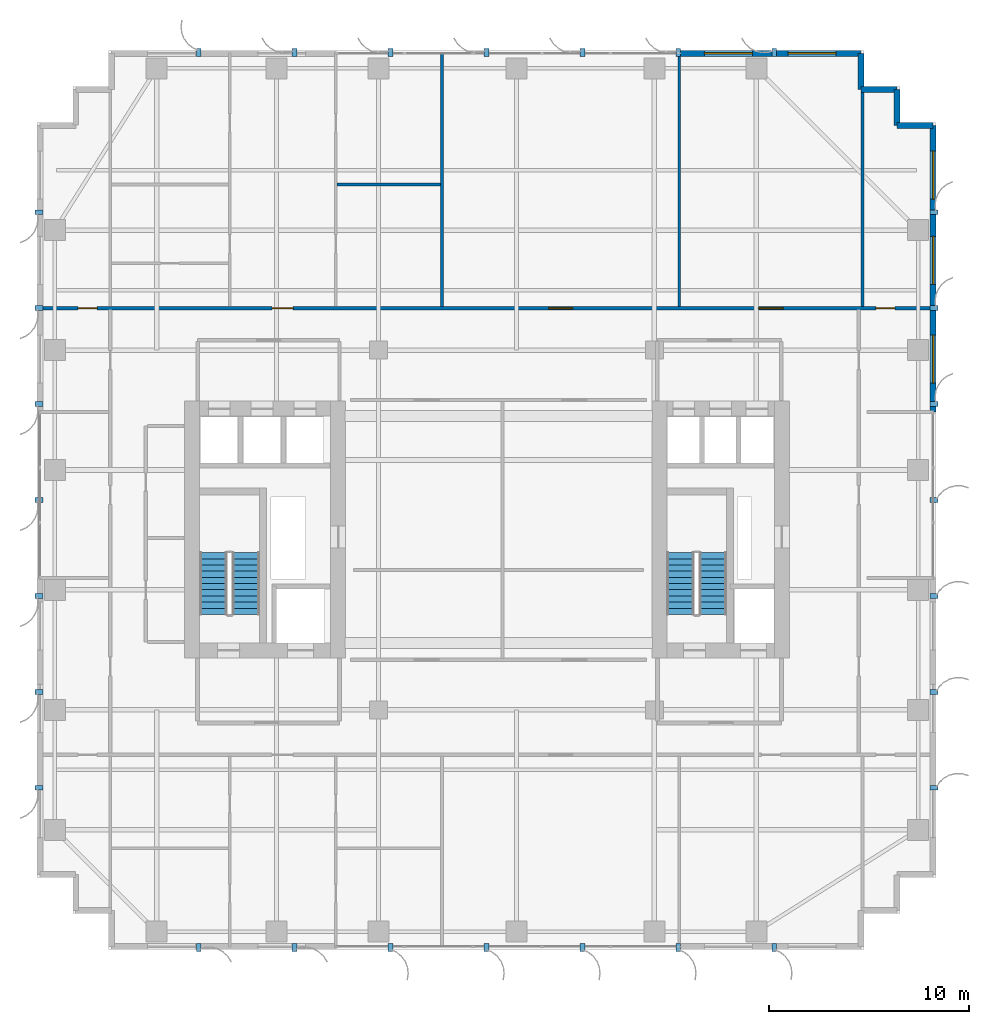
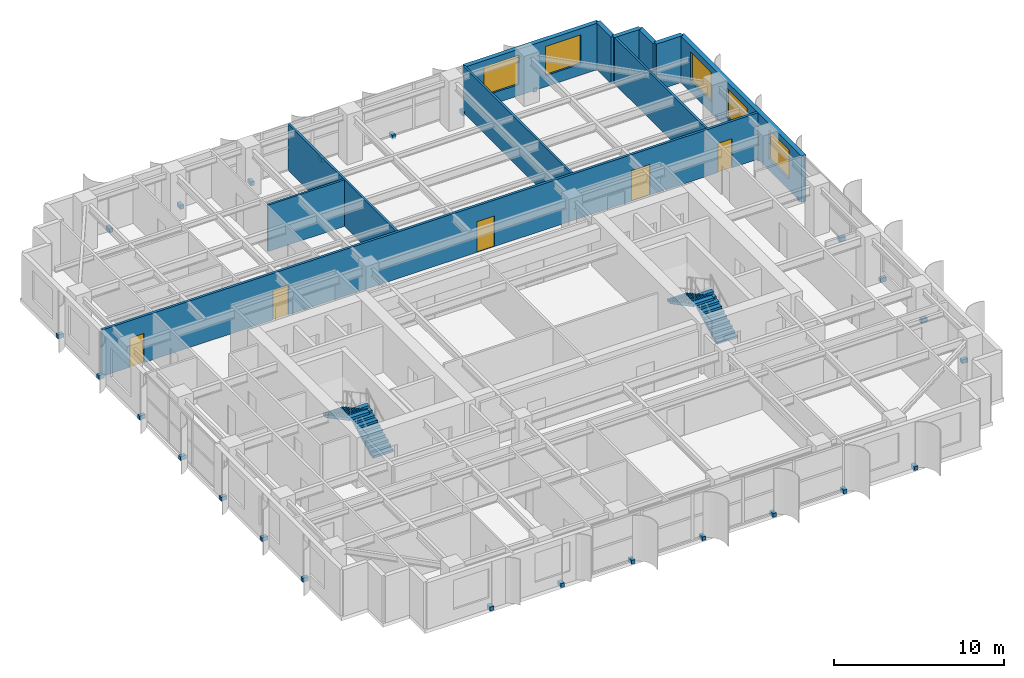
# One storey, part 23 of 26: 28 discrete accessories, 11 walls, 5 doors, 5 windows, 4 stair flights, 10 openings, 2 elements without a shape of their own.
"""IFC4 building model written with IfcOpenShell, lengths in metres."""

import ifcopenshell
import ifcopenshell.guid

model = None  # the IFC model being written
_history = None  # IfcOwnerHistory: only IFC2X3 demands one
_inside = {}  # id of a spatial element -> (the spatial element, [elements in it])
_under = {}  # id of a project, library or spatial element -> (it, [spatial elements below it])
_declared = {}  # id of a project -> (the project, [libraries it declares])
_typed = {}  # id of a type object -> (the type object, [elements of that type])
_made_of = {}  # id of a material, layer set ... -> (it, [elements and type objects made of it])


def new_model(schema):
    """Start an empty IFC model of exactly this schema.

    Asked for "IFC4X3", IfcOpenShell would pick the latest addendum, in which some entities
    have other attributes; the version numbers below select the first issue.
    IFC2X3 requires an IfcOwnerHistory on every rooted entity: one is made here for all.
    """
    global model, _history
    if schema == "IFC4X3":
        model = ifcopenshell.file(schema_version=(4, 3, 0, 0))
    else:
        model = ifcopenshell.file(schema=schema)
    _inside.clear()
    _under.clear()
    _declared.clear()
    _typed.clear()
    _made_of.clear()
    _history = None
    if model.schema == "IFC2X3":
        org = make("IfcOrganization", Name="unknown")
        user = make(
            "IfcPersonAndOrganization",
            ThePerson=make("IfcPerson", FamilyName="unknown"),
            TheOrganization=org,
        )
        app = make(
            "IfcApplication",
            ApplicationDeveloper=org,
            Version="unknown",
            ApplicationFullName="unknown",
            ApplicationIdentifier="unknown",
        )
        _history = make(
            "IfcOwnerHistory",
            OwningUser=user,
            OwningApplication=app,
            ChangeAction="ADDED",
            CreationDate=0,
        )
    return model


def make(cls, **values):
    """One entity of the class cls with the attributes given. An attribute that is None is left unset."""
    return model.create_entity(
        cls, **{name: value for name, value in values.items() if value is not None}
    )


def rooted(cls, **values):
    """An entity with a GlobalId (a new one), such as an element, a storey or a relation."""
    return make(cls, GlobalId=ifcopenshell.guid.new(), OwnerHistory=_history, **values)


def si_unit(unit_type, name, prefix=None):
    """IfcSIUnit, for example si_unit("LENGTHUNIT", "METRE", prefix="MILLI")."""
    return make("IfcSIUnit", UnitType=unit_type, Prefix=prefix, Name=name)


def assignment(units):
    """IfcUnitAssignment: the units of a project."""
    return None if units is None else make("IfcUnitAssignment", Units=units)


def point(xyz):
    """IfcCartesianPoint."""
    return None if xyz is None else make("IfcCartesianPoint", Coordinates=xyz)


def direction(xyz):
    """IfcDirection."""
    return None if xyz is None else make("IfcDirection", DirectionRatios=xyz)


def frame(location, z_axis=None, x_axis=None):
    """IfcAxis2Placement3D, a coordinate frame: its origin and axes. An axis left out is left unset."""
    return make(
        "IfcAxis2Placement3D",
        Location=point(location),
        Axis=direction(z_axis),
        RefDirection=direction(x_axis),
    )


def frame_2d(location, x_axis=None):
    """IfcAxis2Placement2D, a coordinate frame in the plane: its origin and x axis."""
    return make(
        "IfcAxis2Placement2D", Location=point(location), RefDirection=direction(x_axis)
    )


def origin():
    """The frame at (0, 0, 0) with its axes left unset."""
    return frame((0.0, 0.0, 0.0))


def origin_2d():
    """The frame at (0, 0) in the plane with its x axis left unset."""
    return frame_2d((0.0, 0.0))


def place(relative_to, where):
    """IfcLocalPlacement: puts the frame where relative to a parent placement (None: the world)."""
    return make(
        "IfcLocalPlacement", PlacementRelTo=relative_to, RelativePlacement=where
    )


def context(
    kind, dimensions, precision=None, world=None, true_north=None, identifier=None
):
    """IfcGeometricRepresentationContext, for example the 3D "Model" context."""
    return make(
        "IfcGeometricRepresentationContext",
        ContextIdentifier=identifier,
        ContextType=kind,
        CoordinateSpaceDimension=dimensions,
        Precision=precision,
        WorldCoordinateSystem=world,
        TrueNorth=true_north,
    )


def subcontext(parent, identifier, kind, view, scale=None):
    """IfcGeometricRepresentationSubContext, for example "Body" below "Model"."""
    return make(
        "IfcGeometricRepresentationSubContext",
        ContextIdentifier=identifier,
        ContextType=kind,
        ParentContext=parent,
        TargetScale=scale,
        TargetView=view,
    )


def project(units=None, contexts=None):
    """IfcProject with its units and contexts."""
    return rooted(
        "IfcProject",
        Name="project",
        RepresentationContexts=contexts,
        UnitsInContext=assignment(units),
    )


def spatial(cls, under=None, at=None, **own):
    """A site, building, storey or space (cls), placed at a placement, below another one or the project."""
    s = rooted(cls, ObjectPlacement=at, **own)
    if under is not None:
        _under.setdefault(under.id(), (under, []))[1].append(s)
    return s


def polyline(points):
    """IfcPolyline through the points."""
    return make("IfcPolyline", Points=[point(p) for p in points])


def profile(cls, at=None, kind="AREA", **sizes):
    """A parametric profile (cls). Its sizes go by their IFC names, for example OverallWidth=200.0."""
    return make(cls, ProfileType=kind, Position=at, **sizes)


def rectangle(**sizes):
    """IfcRectangleProfileDef."""
    return profile("IfcRectangleProfileDef", **sizes)


def outline(outer, holes=None, kind="AREA"):
    """IfcArbitraryClosedProfileDef: a profile drawn as a closed curve; with holes, ...WithVoids."""
    if holes is None:
        return make("IfcArbitraryClosedProfileDef", ProfileType=kind, OuterCurve=outer)
    return make(
        "IfcArbitraryProfileDefWithVoids",
        ProfileType=kind,
        OuterCurve=outer,
        InnerCurves=holes,
    )


def extrude(swept, where, along, depth):
    """IfcExtrudedAreaSolid: the profile swept, set in the frame where, extruded along a direction by depth."""
    return make(
        "IfcExtrudedAreaSolid",
        SweptArea=swept,
        Position=where,
        ExtrudedDirection=direction(along),
        Depth=depth,
    )


def shape(context_of_items, identifier, shape_type, items):
    """IfcShapeRepresentation: the items that make up one representation, for example the "Body"."""
    return make(
        "IfcShapeRepresentation",
        ContextOfItems=context_of_items,
        RepresentationIdentifier=identifier,
        RepresentationType=shape_type,
        Items=items,
    )


def source(mapping_origin, context_of_items, identifier, shape_type, items):
    """IfcRepresentationMap: a shape defined once, which mapped items show again and again."""
    return make(
        "IfcRepresentationMap",
        MappingOrigin=mapping_origin,
        MappedRepresentation=shape(context_of_items, identifier, shape_type, items),
    )


def transform(
    local_origin,
    x_axis=None,
    y_axis=None,
    z_axis=None,
    scale=None,
    scale2=None,
    scale3=None,
    uniform=True,
):
    """IfcCartesianTransformationOperator3D, or its non-uniform kind. x_axis, y_axis, z_axis: its Axis1, 2, 3."""
    if uniform:
        return make(
            "IfcCartesianTransformationOperator3D",
            Axis1=direction(x_axis),
            Axis2=direction(y_axis),
            LocalOrigin=point(local_origin),
            Scale=scale,
            Axis3=direction(z_axis),
        )
    return make(
        "IfcCartesianTransformationOperator3DnonUniform",
        Axis1=direction(x_axis),
        Axis2=direction(y_axis),
        LocalOrigin=point(local_origin),
        Scale=scale,
        Axis3=direction(z_axis),
        Scale2=scale2,
        Scale3=scale3,
    )


def mapped(mapping_source, mapping_target):
    """IfcMappedItem: shows the shape of a source again, moved by a transform."""
    return make(
        "IfcMappedItem", MappingSource=mapping_source, MappingTarget=mapping_target
    )


def material(Name=None, Category=None):
    """IfcMaterial."""
    return make("IfcMaterial", Name=Name, Category=Category)


def layer(
    of_material, thickness, ventilated=None, Name=None, Category=None, Priority=None
):
    """IfcMaterialLayer: one layer of a wall or slab, of a material (None: an air gap)."""
    return make(
        "IfcMaterialLayer",
        Material=of_material,
        LayerThickness=thickness,
        IsVentilated=ventilated,
        Name=Name,
        Category=Category,
        Priority=Priority,
    )


def layer_set(layers, Name=None):
    """IfcMaterialLayerSet."""
    return make("IfcMaterialLayerSet", MaterialLayers=layers, LayerSetName=Name)


def made_of(thing, what):
    """Note that an element or type object is made of a material, layer set ...; save() writes the relation."""
    if what is not None:
        _made_of.setdefault(what.id(), (what, []))[1].append(thing)
    return thing


def type_object(cls, material=None, **own):
    """A type object (cls), such as IfcWallType, which elements share."""
    return made_of(rooted(cls, **own), material)


def element(
    cls,
    number,
    at=None,
    inside=None,
    cuts=None,
    type_object=None,
    material=None,
    context=None,
    identifier="Body",
    shape_type=None,
    held_by="IfcProductDefinitionShape",
    body=None,
    shapes=None,
    **own,
):
    """One element of the class cls, such as IfcWall. Its Tag is "e" and its number.

    at: its placement. inside: the storey or other place that contains it. cuts: it is an
    opening in that element (IfcRelVoidsElement). A single representation is given by context,
    identifier, shape_type and body (its items); several are given by shapes. held_by: the class
    of the entity that holds the representations. save() writes the other relations.
    """
    e = rooted(cls, Tag="e%d" % number, ObjectPlacement=at, **own)
    if body is not None:
        shapes = [shape(context, identifier, shape_type, body)]
    if shapes is not None:
        e.Representation = make(held_by, Representations=shapes)
    if inside is not None:
        _inside.setdefault(inside.id(), (inside, []))[1].append(e)
    if cuts is not None:
        rooted(
            "IfcRelVoidsElement", RelatingBuildingElement=cuts, RelatedOpeningElement=e
        )
    if type_object is not None:
        _typed.setdefault(type_object.id(), (type_object, []))[1].append(e)
    return made_of(e, material)


def fill(opening, filler):
    """IfcRelFillsElement: the door or window that sits in an opening."""
    return rooted(
        "IfcRelFillsElement",
        RelatingOpeningElement=opening,
        RelatedBuildingElement=filler,
    )


def aggregate(whole, parts):
    """IfcRelAggregates: a whole, such as a stair, and the parts it consists of."""
    return rooted("IfcRelAggregates", RelatingObject=whole, RelatedObjects=parts)


def save(model, path):
    """Write the relations noted so far, then the file.

    IfcRelAggregates (storeys below a building ...), IfcRelContainedInSpatialStructure (elements
    in a storey), IfcRelDefinesByType, IfcRelAssociatesMaterial and IfcRelDeclares: one each for
    every whole, place, type object, material and project.
    """
    for whole, parts in _under.values():
        aggregate(whole, parts)
    for where, things in _inside.values():
        rooted(
            "IfcRelContainedInSpatialStructure",
            RelatedElements=things,
            RelatingStructure=where,
        )
    for kind, things in _typed.values():
        rooted("IfcRelDefinesByType", RelatedObjects=things, RelatingType=kind)
    for what, things in _made_of.values():
        rooted("IfcRelAssociatesMaterial", RelatedObjects=things, RelatingMaterial=what)
    for by, libraries in _declared.values():
        rooted("IfcRelDeclares", RelatingContext=by, RelatedDefinitions=libraries)
    model.write(path)


model = new_model("IFC4")

# Units and contexts
model_context = context("Model", 3, precision=1e-05, world=origin(), true_north=direction((0.0, 1.0)))
body_context = subcontext(model_context, "Body", "Model", "MODEL_VIEW")
ifc_project = project(units=[si_unit("LENGTHUNIT", "METRE"), si_unit("AREAUNIT", "SQUARE_METRE"), si_unit("VOLUMEUNIT", "CUBIC_METRE"), si_unit("PLANEANGLEUNIT", "RADIAN"), si_unit("MASSUNIT", "GRAM", prefix="KILO")], contexts=[model_context])

# Site, building, storey
site_placement = place(None, origin())
site = spatial("IfcSite", under=ifc_project, at=site_placement, CompositionType="ELEMENT")
building_placement = place(site_placement, origin())
building = spatial("IfcBuilding", under=site, at=building_placement, Name="Khoralis Quay Care Tower", CompositionType="ELEMENT")
storey_placement = place(building_placement, frame((0.0, 0.0, 126.89990234375)))
storey = spatial("IfcBuildingStorey", under=building, at=storey_placement, Name="L33", CompositionType="ELEMENT", Elevation=126.89990234375)

# Wall, openings, doors
ifc_material_1 = material(Name="Gypsum plasterboard on acoustic metal stud")
ifc_layer_1 = layer(ifc_material_1, 0.1650390625)
ifc_layer_set_1 = layer_set([ifc_layer_1], Name="Gypsum plasterboard on acoustic metal stud")
wall_type_1 = type_object("IfcWallType", Name="WL-CORR-165", PredefinedType="PARTITIONING", material=ifc_layer_set_1)
wall_1_placement = place(storey_placement, frame((0.14501953125, 32.10009765625, 0.0), z_axis=(0.0, 0.0, 1.0), x_axis=(1.0, 0.0, 0.0)))
wall_1 = element("IfcWall", 1, at=wall_1_placement, inside=storey, type_object=wall_type_1, Name="L33 North Main Corridor Wall", PredefinedType="PARTITIONING", context=body_context, shape_type="SweptSolid", body=[
    extrude(rectangle(XDim=44.7099609375, YDim=0.1650390625, at=frame_2d((22.35498046875, 0.0))), origin(), (0.0, 0.0, 1.0), 3.340087890625),
])
opening_1_placement = place(wall_1_placement, frame((11.636474609375, 0.0, 0.0)))
opening_1 = element("IfcOpeningElement", 2, at=opening_1_placement, cuts=wall_1, Name="Opening UD1", PredefinedType="OPENING", context=body_context, shape_type="SweptSolid", body=[
    extrude(rectangle(XDim=1.050048828125, YDim=2.14990234375, at=frame_2d((0.52490234375, 1.074951171875))), frame((0.0, 0.092529296875, 0.0), z_axis=(0.0, -1.0, 0.0), x_axis=(1.0, 0.0, 0.0)), (0.0, 0.0, 1.0), 0.18505859375),
])
opening_2_placement = place(wall_1_placement, frame((25.465087890625, 0.0, 0.0)))
opening_2 = element("IfcOpeningElement", 3, at=opening_2_placement, cuts=wall_1, Name="Opening FD1", PredefinedType="OPENING", context=body_context, shape_type="SweptSolid", body=[
    extrude(rectangle(XDim=1.199951171875, YDim=2.199951171875, at=frame_2d((0.60009765625, 1.10009765625))), frame((0.0, 0.092529296875, 0.0), z_axis=(0.0, -1.0, 0.0), x_axis=(1.0, 0.0, 0.0)), (0.0, 0.0, 1.0), 0.18505859375),
])
opening_3_placement = place(wall_1_placement, frame((35.965087890625, 0.0, 0.0)))
opening_3 = element("IfcOpeningElement", 4, at=opening_3_placement, cuts=wall_1, Name="Opening CD1", PredefinedType="OPENING", context=body_context, shape_type="SweptSolid", body=[
    extrude(rectangle(XDim=1.25, YDim=2.199951171875, at=frame_2d((0.625, 1.10009765625))), frame((0.0, 0.092529296875, 0.0), z_axis=(0.0, -1.0, 0.0), x_axis=(1.0, 0.0, 0.0)), (0.0, 0.0, 1.0), 0.18505859375),
])
opening_4_placement = place(wall_1_placement, frame((1.919921875, 0.0, 0.0)))
opening_4 = element("IfcOpeningElement", 5, at=opening_4_placement, cuts=wall_1, Name="Opening ID1", PredefinedType="OPENING", context=body_context, shape_type="SweptSolid", body=[
    extrude(rectangle(XDim=0.949951171875, YDim=2.10009765625, at=frame_2d((0.47509765625, 1.050048828125))), frame((0.0, 0.092529296875, 0.0), z_axis=(0.0, -1.0, 0.0), x_axis=(1.0, 0.0, 0.0)), (0.0, 0.0, 1.0), 0.18505859375),
])
opening_5_placement = place(wall_1_placement, frame((41.840087890625, 0.0, 0.0)))
opening_5 = element("IfcOpeningElement", 6, at=opening_5_placement, cuts=wall_1, Name="Opening ID1", PredefinedType="OPENING", context=body_context, shape_type="SweptSolid", body=[
    extrude(rectangle(XDim=0.949951171875, YDim=2.10009765625, at=frame_2d((0.47509765625, 1.050048828125))), frame((0.0, 0.092529296875, 0.0), z_axis=(0.0, -1.0, 0.0), x_axis=(1.0, 0.0, 0.0)), (0.0, 0.0, 1.0), 0.18505859375),
])
ifc_material_2 = material(Name="Fire-rated painted steel", Category="steel")
door_type_1 = type_object("IfcDoorType", Name="DR-FFL-1200X2200", OperationType="NOTDEFINED", PredefinedType="DOOR", material=ifc_material_2)
shared_shape_1 = source(origin(), body_context, "Body", "SweptSolid", [
    extrude(rectangle(XDim=1.199951171875, YDim=2.199951171875, at=frame_2d((0.60009765625, 1.10009765625))), frame((0.0, 0.02490234375, 0.0), z_axis=(0.0, -1.0, 0.0), x_axis=(1.0, 0.0, 0.0)), (0.0, 0.0, 1.0), 0.050048828125),
])
door_1_placement = place(opening_2_placement, origin())
door_1 = element("IfcDoor", 7, at=door_1_placement, inside=storey, type_object=door_type_1, Name="L33 Assisted Communal Dining Room Door", OperationType="DOUBLE_DOOR_SINGLE_SWING", OverallHeight=2.199951171875, OverallWidth=1.199951171875, PredefinedType="DOOR", context=body_context, shape_type="MappedRepresentation", body=[
    mapped(shared_shape_1, transform((0.0, 0.0, 0.0), scale=1.0)),
])
fill(opening_2, door_1)
ifc_material_3 = material(Name="Acoustic hardwood timber", Category="wood")
door_type_2 = type_object("IfcDoorType", Name="DR-CARE-1250X2200", OperationType="NOTDEFINED", PredefinedType="DOOR", material=ifc_material_3)
shared_shape_2 = source(origin(), body_context, "Body", "SweptSolid", [
    extrude(rectangle(XDim=1.25, YDim=2.199951171875, at=frame_2d((0.625, 1.10009765625))), frame((0.0, 0.02490234375, 0.0), z_axis=(0.0, -1.0, 0.0), x_axis=(1.0, 0.0, 0.0)), (0.0, 0.0, 1.0), 0.050048828125),
])
door_2_placement = place(opening_3_placement, origin())
door_2 = element("IfcDoor", 8, at=door_2_placement, inside=storey, type_object=door_type_2, Name="L33 Physiotherapy Treatment Clinic Door", OperationType="SINGLE_SWING_LEFT", OverallHeight=2.199951171875, OverallWidth=1.25, PredefinedType="DOOR", context=body_context, shape_type="MappedRepresentation", body=[
    mapped(shared_shape_2, transform((0.0, 0.0, 0.0), scale=1.0)),
])
fill(opening_3, door_2)
door_type_3 = type_object("IfcDoorType", Name="DR-ROOM-950X2100", OperationType="NOTDEFINED", PredefinedType="DOOR", material=ifc_material_3)
shared_shape_3 = source(origin(), body_context, "Body", "SweptSolid", [
    extrude(rectangle(XDim=0.949951171875, YDim=2.10009765625, at=frame_2d((0.47509765625, 1.050048828125))), frame((0.0, 0.02490234375, 0.0), z_axis=(0.0, -1.0, 0.0), x_axis=(1.0, 0.0, 0.0)), (0.0, 0.0, 1.0), 0.050048828125),
])
door_3_placement = place(opening_4_placement, origin())
door_3 = element("IfcDoor", 9, at=door_3_placement, inside=storey, type_object=door_type_3, Name="L33 NW Corner Door", OperationType="SINGLE_SWING_RIGHT", OverallHeight=2.10009765625, OverallWidth=0.949951171875, PredefinedType="DOOR", context=body_context, shape_type="MappedRepresentation", body=[
    mapped(shared_shape_3, transform((0.0, 0.0, 0.0), scale=1.0)),
])
fill(opening_4, door_3)
door_4_placement = place(opening_5_placement, origin())
door_4 = element("IfcDoor", 10, at=door_4_placement, inside=storey, type_object=door_type_3, Name="L33 NE Corner Door", OperationType="SINGLE_SWING_LEFT", OverallHeight=2.10009765625, OverallWidth=0.949951171875, PredefinedType="DOOR", context=body_context, shape_type="MappedRepresentation", body=[
    mapped(shared_shape_3, transform((0.0, 0.0, 0.0), scale=1.0)),
])
fill(opening_5, door_4)
door_type_4 = type_object("IfcDoorType", Name="DR-SUITE-1050X2150", OperationType="NOTDEFINED", PredefinedType="DOOR", material=ifc_material_3)
shared_shape_4 = source(origin(), body_context, "Body", "SweptSolid", [
    extrude(rectangle(XDim=1.050048828125, YDim=2.14990234375, at=frame_2d((0.52490234375, 1.074951171875))), frame((0.0, 0.02490234375, 0.0), z_axis=(0.0, -1.0, 0.0), x_axis=(1.0, 0.0, 0.0)), (0.0, 0.0, 1.0), 0.050048828125),
])
door_5_placement = place(opening_1_placement, origin())
door_5 = element("IfcDoor", 11, at=door_5_placement, inside=storey, type_object=door_type_4, Name="L33 2BR NB0 Entrance", OperationType="SINGLE_SWING_LEFT", OverallHeight=2.14990234375, OverallWidth=1.050048828125, PredefinedType="DOOR", context=body_context, shape_type="MappedRepresentation", body=[
    mapped(shared_shape_4, transform((0.0, 0.0, 0.0), scale=1.0)),
])
fill(opening_1, door_5)

# Wall, openings, windows
ifc_material_4 = material(Name="Precast concrete C45/55", Category="concrete")
ifc_layer_2 = layer(ifc_material_4, 0.300048828125)
ifc_layer_set_2 = layer_set([ifc_layer_2], Name="Precast concrete C45/55")
wall_type_2 = type_object("IfcWallType", Name="WL-EXT-REF-300", PredefinedType="SOLIDWALL", material=ifc_layer_set_2)
wall_2_placement = place(storey_placement, frame((44.85009765625, 26.89990234375, 0.0), z_axis=(0.0, 0.0, 1.0), x_axis=(0.0, 1.0, 0.0)))
wall_2 = element("IfcWall", 12, at=wall_2_placement, inside=storey, type_object=wall_type_2, Name="L33 External Facade Wall WL-EXT-L33-P1-E5B", PredefinedType="SOLIDWALL", context=body_context, shape_type="SweptSolid", body=[
    extrude(rectangle(XDim=14.35009765625, YDim=0.300048828125, at=frame_2d((7.175048828125, 0.0))), origin(), (0.0, 0.0, 1.0), 3.340087890625),
])
opening_6_placement = place(wall_2_placement, frame((1.449951171875, 0.0, 0.800048828125)))
opening_6 = element("IfcOpeningElement", 13, at=opening_6_placement, cuts=wall_2, Name="Opening W1", PredefinedType="OPENING", context=body_context, shape_type="SweptSolid", body=[
    extrude(rectangle(XDim=2.39990234375, YDim=2.10009765625, at=frame_2d((1.199951171875, 1.050048828125))), frame((0.0, 0.16015625, 0.0), z_axis=(0.0, -1.0, 0.0), x_axis=(1.0, 0.0, 0.0)), (0.0, 0.0, 1.0), 0.320068359375),
])
opening_7_placement = place(wall_2_placement, frame((6.392578125, 0.0, 0.800048828125)))
opening_7 = element("IfcOpeningElement", 14, at=opening_7_placement, cuts=wall_2, Name="Opening W1", PredefinedType="OPENING", context=body_context, shape_type="SweptSolid", body=[
    extrude(rectangle(XDim=2.39990234375, YDim=2.10009765625, at=frame_2d((1.199951171875, 1.050048828125))), frame((0.0, 0.16015625, 0.0), z_axis=(0.0, -1.0, 0.0), x_axis=(1.0, 0.0, 0.0)), (0.0, 0.0, 1.0), 0.320068359375),
])
opening_8_placement = place(wall_2_placement, frame((10.657470703125, 0.0, 0.800048828125)))
opening_8 = element("IfcOpeningElement", 15, at=opening_8_placement, cuts=wall_2, Name="Opening W1", PredefinedType="OPENING", context=body_context, shape_type="SweptSolid", body=[
    extrude(rectangle(XDim=2.39990234375, YDim=2.10009765625, at=frame_2d((1.199951171875, 1.050048828125))), frame((0.0, 0.16015625, 0.0), z_axis=(0.0, -1.0, 0.0), x_axis=(1.0, 0.0, 0.0)), (0.0, 0.0, 1.0), 0.320068359375),
])
ifc_material_5 = material(Name="Low-E solar-control double glazing", Category="glass")
window_type = type_object("IfcWindowType", Name="WN-POD-2400X2100", PartitioningType="SINGLE_PANEL", PredefinedType="WINDOW", material=ifc_material_5)
shared_shape_5 = source(origin(), body_context, "Body", "SweptSolid", [
    extrude(rectangle(XDim=2.39990234375, YDim=2.10009765625, at=frame_2d((1.199951171875, 1.050048828125))), frame((0.0, 0.030029296875, 0.0), z_axis=(0.0, -1.0, 0.0), x_axis=(1.0, 0.0, 0.0)), (0.0, 0.0, 1.0), 0.06005859375),
])
window_1_placement = place(opening_6_placement, origin())
window_1 = element("IfcWindow", 16, at=window_1_placement, inside=storey, type_object=window_type, Name="WN-L33-P1-E5B Facade Window 01", OverallHeight=2.10009765625, OverallWidth=2.39990234375, PartitioningType="SINGLE_PANEL", PredefinedType="WINDOW", context=body_context, shape_type="MappedRepresentation", body=[
    mapped(shared_shape_5, transform((0.0, 0.0, 0.0), scale=1.0)),
])
fill(opening_6, window_1)
window_2_placement = place(opening_7_placement, origin())
window_2 = element("IfcWindow", 17, at=window_2_placement, inside=storey, type_object=window_type, Name="WN-L33-P1-E5B Facade Window 02", OverallHeight=2.10009765625, OverallWidth=2.39990234375, PartitioningType="SINGLE_PANEL", PredefinedType="WINDOW", context=body_context, shape_type="MappedRepresentation", body=[
    mapped(shared_shape_5, transform((0.0, 0.0, 0.0), scale=1.0)),
])
fill(opening_7, window_2)
window_3_placement = place(opening_8_placement, origin())
window_3 = element("IfcWindow", 18, at=window_3_placement, inside=storey, type_object=window_type, Name="WN-L33-P1-E5B Facade Window 03", OverallHeight=2.10009765625, OverallWidth=2.39990234375, PartitioningType="SINGLE_PANEL", PredefinedType="WINDOW", context=body_context, shape_type="MappedRepresentation", body=[
    mapped(shared_shape_5, transform((0.0, 0.0, 0.0), scale=1.0)),
])
fill(opening_8, window_3)

# Walls
for number, where, z_axis, x_axis, name in (
    (19, (44.85009765625, 41.25, 0.0), (0.0, 0.0, 1.0), (-1.0, 0.0, 0.0), "L33 External Facade Wall WL-EXT-L33-P1-C6"),
    (20, (43.050048828125, 41.25, 0.0), (0.0, 0.0, 1.0), (0.0, 1.0, 0.0), "L33 External Facade Wall WL-EXT-L33-P1-C7"),
    (21, (43.050048828125, 43.050048828125, 0.0), (0.0, 0.0, 1.0), (-1.0, 0.0, 0.0), "L33 External Facade Wall WL-EXT-L33-P1-C8"),
    (22, (41.25, 43.050048828125, 0.0), (0.0, 0.0, 1.0), (0.0, 1.0, 0.0), "L33 External Facade Wall WL-EXT-L33-P1-C9"),
):
    element("IfcWall", number, at=place(storey_placement, frame(where, z_axis=z_axis, x_axis=x_axis)), inside=storey, type_object=wall_type_2, Name=name, PredefinedType="SOLIDWALL", context=body_context, shape_type="SweptSolid", body=[
        extrude(rectangle(XDim=1.800048828125, YDim=0.300048828125, at=frame_2d((0.89990234375, 0.0))), origin(), (0.0, 0.0, 1.0), 3.340087890625),
    ])

# Wall, openings, windows
wall_3_placement = place(storey_placement, frame((41.25, 44.85009765625, 0.0), z_axis=(0.0, 0.0, 1.0), x_axis=(-1.0, 0.0, 0.0)))
wall_3 = element("IfcWall", 23, at=wall_3_placement, inside=storey, type_object=wall_type_2, Name="L33 External Facade Wall WL-EXT-L33-P1-E10A", PredefinedType="SOLIDWALL", context=body_context, shape_type="SweptSolid", body=[
    extrude(rectangle(XDim=9.10009765625, YDim=0.300048828125, at=frame_2d((4.550048828125, 0.0))), origin(), (0.0, 0.0, 1.0), 3.340087890625),
])
opening_9_placement = place(wall_3_placement, frame((1.2548828125, 0.0, 0.800048828125)))
opening_9 = element("IfcOpeningElement", 24, at=opening_9_placement, cuts=wall_3, Name="Opening W1", PredefinedType="OPENING", context=body_context, shape_type="SweptSolid", body=[
    extrude(rectangle(XDim=2.39990234375, YDim=2.10009765625, at=frame_2d((1.199951171875, 1.050048828125))), frame((0.0, 0.16015625, 0.0), z_axis=(0.0, -1.0, 0.0), x_axis=(1.0, 0.0, 0.0)), (0.0, 0.0, 1.0), 0.320068359375),
])
opening_10_placement = place(wall_3_placement, frame((5.445068359375, 0.0, 0.800048828125)))
opening_10 = element("IfcOpeningElement", 25, at=opening_10_placement, cuts=wall_3, Name="Opening W1", PredefinedType="OPENING", context=body_context, shape_type="SweptSolid", body=[
    extrude(rectangle(XDim=2.39990234375, YDim=2.10009765625, at=frame_2d((1.199951171875, 1.050048828125))), frame((0.0, 0.16015625, 0.0), z_axis=(0.0, -1.0, 0.0), x_axis=(1.0, 0.0, 0.0)), (0.0, 0.0, 1.0), 0.320068359375),
])
window_4_placement = place(opening_9_placement, origin())
window_4 = element("IfcWindow", 26, at=window_4_placement, inside=storey, type_object=window_type, Name="WN-L33-P1-E10A Facade Window 01", OverallHeight=2.10009765625, OverallWidth=2.39990234375, PartitioningType="SINGLE_PANEL", PredefinedType="WINDOW", context=body_context, shape_type="MappedRepresentation", body=[
    mapped(shared_shape_5, transform((0.0, 0.0, 0.0), scale=1.0)),
])
fill(opening_9, window_4)
window_5_placement = place(opening_10_placement, origin())
window_5 = element("IfcWindow", 27, at=window_5_placement, inside=storey, type_object=window_type, Name="WN-L33-P1-E10A Facade Window 02", OverallHeight=2.10009765625, OverallWidth=2.39990234375, PartitioningType="SINGLE_PANEL", PredefinedType="WINDOW", context=body_context, shape_type="MappedRepresentation", body=[
    mapped(shared_shape_5, transform((0.0, 0.0, 0.0), scale=1.0)),
])
fill(opening_10, window_5)

# Walls
ifc_material_6 = material(Name="Moisture-resistant gypsum and ceramic tile")
ifc_layer_3 = layer(ifc_material_6, 0.280029296875)
ifc_layer_set_3 = layer_set([ifc_layer_3], Name="Moisture-resistant gypsum and ceramic tile")
wall_type_3 = type_object("IfcWallType", Name="WL-PLUMB-280", PredefinedType="PLUMBINGWALL", material=ifc_layer_set_3)
wall_4_placement = place(storey_placement, frame((15.013427734375, 38.2919921875, 0.0), z_axis=(0.0, 0.0, 1.0), x_axis=(1.0, 0.0, 0.0)))
element("IfcWall", 28, at=wall_4_placement, inside=storey, type_object=wall_type_3, Name="L33 2BR 0 Right Split", PredefinedType="PLUMBINGWALL", context=body_context, shape_type="SweptSolid", body=[
    extrude(rectangle(XDim=5.191650390625, YDim=0.139892578125, at=frame_2d((2.595703125, 0.0))), origin(), (0.0, 0.0, 1.0), 3.340087890625),
])
ifc_layer_4 = layer(ifc_material_1, 0.139892578125)
ifc_layer_set_4 = layer_set([ifc_layer_4], Name="Gypsum plasterboard on acoustic metal stud")
wall_type_4 = type_object("IfcWallType", Name="WL-UNIT-140", PredefinedType="PARTITIONING", material=ifc_layer_set_4)
for number, where, z_axis, x_axis, name in (
    (29, (20.27001953125, 32.177490234375, 0.0), (0.0, 0.0, 1.0), (0.0, 1.0, 0.0), "L33 NB Demising Wall 1"),
    (30, (32.14990234375, 32.177490234375, 0.0), (0.0, 0.0, 1.0), (0.0, 1.0, 0.0), "L33 NB Demising Wall 2"),
):
    element("IfcWall", number, at=place(storey_placement, frame(where, z_axis=z_axis, x_axis=x_axis)), inside=storey, type_object=wall_type_4, Name=name, PredefinedType="PARTITIONING", context=body_context, shape_type="SweptSolid", body=[
        extrude(rectangle(XDim=12.677490234375, YDim=0.139892578125, at=frame_2d((6.3388671875, 0.0))), origin(), (0.0, 0.0, 1.0), 3.340087890625),
    ])
wall_5_placement = place(storey_placement, frame((41.320068359375, 32.177490234375, 0.0), z_axis=(0.0, 0.0, 1.0), x_axis=(0.0, 1.0, 0.0)))
element("IfcWall", 31, at=wall_5_placement, inside=storey, type_object=wall_type_4, Name="L33 NB Demising Wall 3", PredefinedType="PARTITIONING", context=body_context, shape_type="SweptSolid", body=[
    extrude(rectangle(XDim=10.87744140625, YDim=0.139892578125, at=frame_2d((5.438720703125, 0.0))), origin(), (0.0, 0.0, 1.0), 3.340087890625),
])

# Stair, stair flights
stair_type = type_object("IfcStairType", Name="ST-TWR-DOGLEG-1400", PredefinedType="HALF_TURN_STAIR", material=ifc_material_4)
stair_1_placement = place(storey_placement, origin())
stair_1 = element("IfcStair", 32, at=stair_1_placement, inside=storey, type_object=stair_type, Name="L33 West Core Exit Stair ST-T1", PredefinedType="HALF_TURN_STAIR")
stair_flight_type = type_object("IfcStairFlightType", Name="SF-TWR-1400", PredefinedType="STRAIGHT", material=ifc_material_4)
shared_shape_6 = source(origin(), body_context, "Body", "SweptSolid", [
    extrude(outline(polyline([(0.0, 0.0), (0.0, 0.16357421875), (0.31005859375, 0.16357421875), (0.31005859375, 0.327392578125), (0.6201171875, 0.327392578125), (0.6201171875, 0.490966796875), (0.929931640625, 0.490966796875), (0.929931640625, 0.654541015625), (1.239990234375, 0.654541015625), (1.239990234375, 0.818115234375), (1.550048828125, 0.818115234375), (1.550048828125, 0.98193359375), (1.860107421875, 0.98193359375), (1.860107421875, 1.1455078125), (2.169921875, 1.1455078125), (2.169921875, 1.30908203125), (2.47998046875, 1.30908203125), (2.47998046875, 1.47265625), (2.7900390625, 1.47265625), (2.7900390625, 1.636474609375), (3.10009765625, 1.636474609375), (3.10009765625, 1.800048828125), (3.10009765625, 1.466796875), (0.321044921875, 0.0), (0.0, 0.0)])), frame((0.0, 0.68994140625, 0.0), z_axis=(0.0, -1.0, 0.0), x_axis=(1.0, 0.0, 0.0)), (0.0, 0.0, 1.0), 1.3798828125),
])
stair_flight_1_placement = place(storey_placement, frame((10.4599609375, 16.77001953125, 0.0), z_axis=(0.0, 0.0, 1.0), x_axis=(0.0, 1.0, 0.0)))
stair_flight_1 = element("IfcStairFlight", 33, at=stair_flight_1_placement, type_object=stair_flight_type, Name="ST-T1 flight 1", NumberOfRisers=11, NumberOfTreads=10, PredefinedType="STRAIGHT", RiserHeight=0.163636364, TreadLength=0.31, context=body_context, shape_type="MappedRepresentation", body=[
    mapped(shared_shape_6, transform((0.0, 0.0, 0.0), scale=1.0)),
])
stair_flight_2_placement = place(storey_placement, frame((8.840087890625, 19.8701171875, 1.800048828125), z_axis=(0.0, 0.0, 1.0), x_axis=(0.0, -1.0, 0.0)))
stair_flight_2 = element("IfcStairFlight", 34, at=stair_flight_2_placement, type_object=stair_flight_type, Name="ST-T1 flight 2", NumberOfRisers=11, NumberOfTreads=10, PredefinedType="STRAIGHT", RiserHeight=0.163636364, TreadLength=0.31, context=body_context, shape_type="MappedRepresentation", body=[
    mapped(shared_shape_6, transform((0.0, 0.0, 0.0), scale=1.0)),
])
aggregate(stair_1, [stair_flight_1, stair_flight_2])

stair_2_placement = place(storey_placement, origin())
stair_2 = element("IfcStair", 35, at=stair_2_placement, inside=storey, type_object=stair_type, Name="L33 East Core Exit Stair ST-T2", PredefinedType="HALF_TURN_STAIR")
stair_flight_3_placement = place(storey_placement, frame((33.830078125, 16.77001953125, 0.0), z_axis=(0.0, 0.0, 1.0), x_axis=(0.0, 1.0, 0.0)))
stair_flight_3 = element("IfcStairFlight", 36, at=stair_flight_3_placement, type_object=stair_flight_type, Name="ST-T2 flight 1", NumberOfRisers=11, NumberOfTreads=10, PredefinedType="STRAIGHT", RiserHeight=0.163636364, TreadLength=0.31, context=body_context, shape_type="MappedRepresentation", body=[
    mapped(shared_shape_6, transform((0.0, 0.0, 0.0), scale=1.0)),
])
stair_flight_4_placement = place(storey_placement, frame((32.2099609375, 19.8701171875, 1.800048828125), z_axis=(0.0, 0.0, 1.0), x_axis=(0.0, -1.0, 0.0)))
stair_flight_4 = element("IfcStairFlight", 37, at=stair_flight_4_placement, type_object=stair_flight_type, Name="ST-T2 flight 2", NumberOfRisers=11, NumberOfTreads=10, PredefinedType="STRAIGHT", RiserHeight=0.163636364, TreadLength=0.31, context=body_context, shape_type="MappedRepresentation", body=[
    mapped(shared_shape_6, transform((0.0, 0.0, 0.0), scale=1.0)),
])
aggregate(stair_2, [stair_flight_3, stair_flight_4])

# Discrete accessories
ifc_material_7 = material(Name="Brushed stainless steel", Category="steel")
discrete_accessory_type = type_object("IfcDiscreteAccessoryType", Name="ACC-FIN-BRACKET", PredefinedType="BRACKET", material=ifc_material_7)
shared_shape_7 = source(origin(), body_context, "Body", "SweptSolid", [
    extrude(rectangle(XDim=0.39990234375, YDim=0.239990234375, at=origin_2d()), origin(), (0.0, 0.0, 1.0), 0.280029296875),
])
for number, where, z_axis, x_axis, name in (
    (38, (8.10009765625, 0.110107421875, -0.1201171875), (0.0, 0.0, 1.0), (0.0, -1.0, 0.0), "L33 Solar Fin Bracket P1E0-01"),
    (39, (12.89990234375, 0.110107421875, -0.1201171875), (0.0, 0.0, 1.0), (0.0, -1.0, 0.0), "L33 Solar Fin Bracket P1E0-02"),
    (40, (17.699951171875, 0.110107421875, -0.1201171875), (0.0, 0.0, 1.0), (0.0, -1.0, 0.0), "L33 Solar Fin Bracket P1E0-03"),
    (41, (22.5, 0.110107421875, -0.1201171875), (0.0, 0.0, 1.0), (0.0, -1.0, 0.0), "L33 Solar Fin Bracket P1E0-04"),
    (42, (27.300048828125, 0.110107421875, -0.1201171875), (0.0, 0.0, 1.0), (0.0, -1.0, 0.0), "L33 Solar Fin Bracket P1E0-05"),
    (43, (32.10009765625, 0.110107421875, -0.1201171875), (0.0, 0.0, 1.0), (0.0, -1.0, 0.0), "L33 Solar Fin Bracket P1E0-06"),
    (44, (36.89990234375, 0.110107421875, -0.1201171875), (0.0, 0.0, 1.0), (0.0, -1.0, 0.0), "L33 Solar Fin Bracket P1E0-07"),
    (45, (44.889892578125, 8.10009765625, -0.1201171875), (0.0, 0.0, 1.0), (1.0, 0.0, 0.0), "L33 Solar Fin Bracket P1E5-01"),
    (46, (44.889892578125, 12.89990234375, -0.1201171875), (0.0, 0.0, 1.0), (1.0, 0.0, 0.0), "L33 Solar Fin Bracket P1E5-02"),
    (47, (44.889892578125, 17.699951171875, -0.1201171875), (0.0, 0.0, 1.0), (1.0, 0.0, 0.0), "L33 Solar Fin Bracket P1E5-03"),
    (48, (44.889892578125, 22.5, -0.1201171875), (0.0, 0.0, 1.0), (1.0, 0.0, 0.0), "L33 Solar Fin Bracket P1E5-04"),
    (49, (44.889892578125, 27.300048828125, -0.1201171875), (0.0, 0.0, 1.0), (1.0, 0.0, 0.0), "L33 Solar Fin Bracket P1E5-05"),
    (50, (44.889892578125, 32.10009765625, -0.1201171875), (0.0, 0.0, 1.0), (1.0, 0.0, 0.0), "L33 Solar Fin Bracket P1E5-06"),
    (51, (44.889892578125, 36.89990234375, -0.1201171875), (0.0, 0.0, 1.0), (1.0, 0.0, 0.0), "L33 Solar Fin Bracket P1E5-07"),
    (52, (36.89990234375, 44.889892578125, -0.1201171875), (0.0, 0.0, 1.0), (0.0, 1.0, 0.0), "L33 Solar Fin Bracket P1E10-01"),
    (53, (32.10009765625, 44.889892578125, -0.1201171875), (0.0, 0.0, 1.0), (0.0, 1.0, 0.0), "L33 Solar Fin Bracket P1E10-02"),
    (54, (27.300048828125, 44.889892578125, -0.1201171875), (0.0, 0.0, 1.0), (0.0, 1.0, 0.0), "L33 Solar Fin Bracket P1E10-03"),
    (55, (22.5, 44.889892578125, -0.1201171875), (0.0, 0.0, 1.0), (0.0, 1.0, 0.0), "L33 Solar Fin Bracket P1E10-04"),
    (56, (17.699951171875, 44.889892578125, -0.1201171875), (0.0, 0.0, 1.0), (0.0, 1.0, 0.0), "L33 Solar Fin Bracket P1E10-05"),
    (57, (12.89990234375, 44.889892578125, -0.1201171875), (0.0, 0.0, 1.0), (0.0, 1.0, 0.0), "L33 Solar Fin Bracket P1E10-06"),
    (58, (8.10009765625, 44.889892578125, -0.1201171875), (0.0, 0.0, 1.0), (0.0, 1.0, 0.0), "L33 Solar Fin Bracket P1E10-07"),
    (59, (0.110107421875, 36.89990234375, -0.1201171875), (0.0, 0.0, 1.0), (-1.0, 0.0, 0.0), "L33 Solar Fin Bracket P1E15-01"),
    (60, (0.110107421875, 32.10009765625, -0.1201171875), (0.0, 0.0, 1.0), (-1.0, 0.0, 0.0), "L33 Solar Fin Bracket P1E15-02"),
    (61, (0.110107421875, 27.300048828125, -0.1201171875), (0.0, 0.0, 1.0), (-1.0, 0.0, 0.0), "L33 Solar Fin Bracket P1E15-03"),
    (62, (0.110107421875, 22.5, -0.1201171875), (0.0, 0.0, 1.0), (-1.0, 0.0, 0.0), "L33 Solar Fin Bracket P1E15-04"),
    (63, (0.110107421875, 17.699951171875, -0.1201171875), (0.0, 0.0, 1.0), (-1.0, 0.0, 0.0), "L33 Solar Fin Bracket P1E15-05"),
    (64, (0.110107421875, 12.89990234375, -0.1201171875), (0.0, 0.0, 1.0), (-1.0, 0.0, 0.0), "L33 Solar Fin Bracket P1E15-06"),
    (65, (0.110107421875, 8.10009765625, -0.1201171875), (0.0, 0.0, 1.0), (-1.0, 0.0, 0.0), "L33 Solar Fin Bracket P1E15-07"),
):
    element("IfcDiscreteAccessory", number, at=place(storey_placement, frame(where, z_axis=z_axis, x_axis=x_axis)), inside=storey, type_object=discrete_accessory_type, Name=name, PredefinedType="BRACKET", context=body_context, shape_type="MappedRepresentation", body=[
        mapped(shared_shape_7, transform((0.0, 0.0, 0.0), scale=1.0)),
    ])

save(model, "model.ifc")
